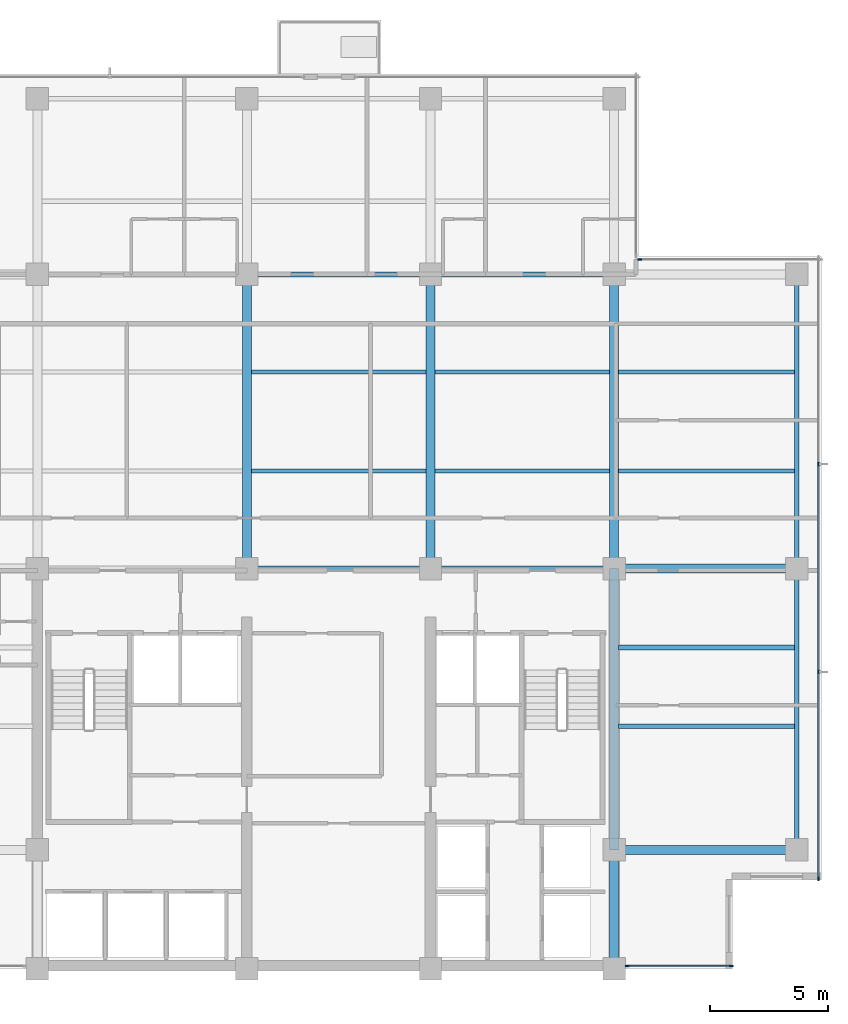
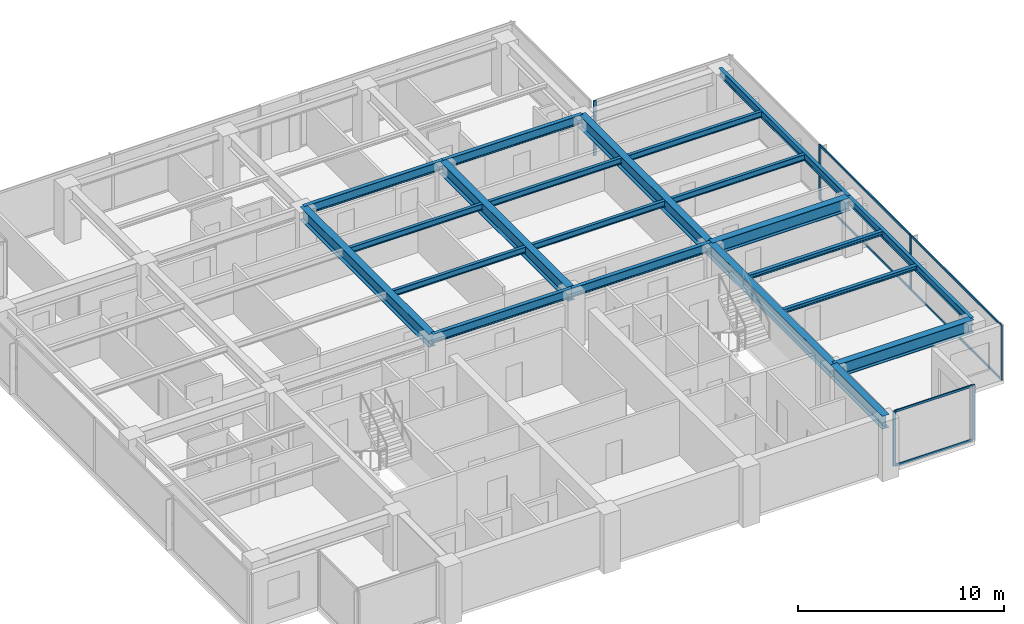
# One storey, part 3 of 15: 21 beams, 12 members, 3 elements without a shape of their own.
"""IFC4 building model written with IfcOpenShell, lengths in metres."""

from ifc_helpers import new_model, si_unit, direction, frame, origin, origin_2d, place, context, subcontext, project, spatial, rectangle, i_section, extrude, material, layer, layer_set, material_profile, profile_set, type_object, element, aggregate, save


model = new_model("IFC4")

# Units and contexts
model_context = context("Model", 3, precision=1e-05, world=origin(), true_north=direction((0.0, 1.0)))
body_context = subcontext(model_context, "Body", "Model", "MODEL_VIEW")
ifc_project = project(units=[si_unit("LENGTHUNIT", "METRE"), si_unit("AREAUNIT", "SQUARE_METRE"), si_unit("VOLUMEUNIT", "CUBIC_METRE"), si_unit("PLANEANGLEUNIT", "RADIAN"), si_unit("MASSUNIT", "GRAM", prefix="KILO")], contexts=[model_context])

# Site, building, storey
site_placement = place(None, origin())
site = spatial("IfcSite", under=ifc_project, at=site_placement, CompositionType="ELEMENT")
building_placement = place(site_placement, origin())
building = spatial("IfcBuilding", under=site, at=building_placement, Name="Qalmaran Belvedere Hotel", CompositionType="ELEMENT")
storey_placement = place(building_placement, frame((0.0, 0.0, 231.89990234375)))
storey = spatial("IfcBuildingStorey", under=building, at=storey_placement, Name="L59", CompositionType="ELEMENT", Elevation=231.89990234375)

# Beams
ifc_material_1 = material(Name="Steel S355JR", Category="steel")
ifc_material_profile_1 = material_profile(ifc_material_1, i_section(OverallWidth=0.201904296875, OverallDepth=0.2470703125, WebThickness=0.00732421875, FlangeThickness=0.010986328125, FilletRadius=0.011962890625, at=origin_2d()), Name="W250X49")
ifc_profile_set_1 = profile_set([ifc_material_profile_1], Name="Steel S355JR")
beam_type_1 = type_object("IfcBeamType", Name="BM-JST-W250X49", PredefinedType="JOIST", material=ifc_profile_set_1)
for number, where, z_axis, x_axis, name in (
    (1, (44.988525390625, 13.800048828125, 3.13671875), (1.0, 0.0, 0.0), (0.0, 1.0, 0.0), "L59 East Wing Joist 039"),
    (2, (44.988525390625, 17.14990234375, 3.13671875), (1.0, 0.0, 0.0), (0.0, 1.0, 0.0), "L59 East Wing Joist 041"),
):
    element("IfcBeam", number, at=place(storey_placement, frame(where, z_axis=z_axis, x_axis=x_axis)), inside=storey, type_object=beam_type_1, Name=name, PredefinedType="JOIST", context=body_context, shape_type="SweptSolid", body=[
        extrude(i_section(OverallWidth=0.201904296875, OverallDepth=0.2470703125, WebThickness=0.00732421875, FlangeThickness=0.010986328125, FilletRadius=0.011962890625, at=origin_2d()), origin(), (0.0, 0.0, 1.0), 7.467529296875),
    ])
ifc_material_profile_2 = material_profile(ifc_material_1, i_section(OverallWidth=0.381103515625, OverallDepth=0.77294921875, WebThickness=0.0166015625, FlangeThickness=0.027099609375, FilletRadius=0.02197265625, at=origin_2d()), Name="W760X257")
ifc_profile_set_2 = profile_set([ifc_material_profile_2], Name="Steel S355JR")
beam_type_2 = type_object("IfcBeamType", Name="BM-PG4-W760X257", PredefinedType="USERDEFINED", material=ifc_profile_set_2)
for number, where, z_axis, x_axis, name in (
    (3, (29.199951171875, 20.5, 2.87353515625), (0.0, 1.0, 0.0), (-1.0, 0.0, 0.0), "L59 Mid-Plate N-S Girder 16"),
    (4, (37.0, 20.5, 2.87353515625), (0.0, 1.0, 0.0), (-1.0, 0.0, 0.0), "L59 Mid-Plate N-S Girder 18"),
    (5, (44.800048828125, 20.5, 2.87353515625), (0.0, 1.0, 0.0), (-1.0, 0.0, 0.0), "L59 Mid-Plate N-S Girder 20"),
):
    element("IfcBeam", number, at=place(storey_placement, frame(where, z_axis=z_axis, x_axis=x_axis)), inside=storey, type_object=beam_type_2, Name=name, ObjectType="GIRDER", PredefinedType="USERDEFINED", context=body_context, shape_type="SweptSolid", body=[
        extrude(i_section(OverallWidth=0.381103515625, OverallDepth=0.77294921875, WebThickness=0.0166015625, FlangeThickness=0.027099609375, FilletRadius=0.02197265625, at=origin_2d()), origin(), (0.0, 0.0, 1.0), 12.5),
    ])
beam_1_placement = place(storey_placement, frame((44.800048828125, 3.5, 2.87353515625), z_axis=(0.0, 1.0, 0.0), x_axis=(-1.0, 0.0, 0.0)))
element("IfcBeam", 6, at=beam_1_placement, inside=storey, type_object=beam_type_2, Name="L59 East Core Edge Girder A", ObjectType="GIRDER", PredefinedType="USERDEFINED", context=body_context, shape_type="SweptSolid", body=[
    extrude(i_section(OverallWidth=0.381103515625, OverallDepth=0.77294921875, WebThickness=0.0166015625, FlangeThickness=0.027099609375, FilletRadius=0.02197265625, at=origin_2d()), origin(), (0.0, 0.0, 1.0), 5.050048828125),
])
beam_2_placement = place(storey_placement, frame((44.800048828125, 8.550048828125, 2.87353515625), z_axis=(0.0, 1.0, 0.0), x_axis=(-1.0, 0.0, 0.0)))
element("IfcBeam", 7, at=beam_2_placement, inside=storey, type_object=beam_type_2, Name="L59 East Core Edge Girder B", ObjectType="GIRDER", PredefinedType="USERDEFINED", context=body_context, shape_type="SweptSolid", body=[
    extrude(i_section(OverallWidth=0.381103515625, OverallDepth=0.77294921875, WebThickness=0.0166015625, FlangeThickness=0.027099609375, FilletRadius=0.02197265625, at=origin_2d()), origin(), (0.0, 0.0, 1.0), 11.949951171875),
])
for number, where, z_axis, x_axis, name in (
    (8, (44.800048828125, 8.550048828125, 2.87353515625), (1.0, 0.0, 0.0), (0.0, 1.0, 0.0), "L59 East Wing Girder 25"),
    (9, (44.800048828125, 20.5, 2.87353515625), (1.0, 0.0, 0.0), (0.0, 1.0, 0.0), "L59 East Wing Girder 26"),
):
    element("IfcBeam", number, at=place(storey_placement, frame(where, z_axis=z_axis, x_axis=x_axis)), inside=storey, type_object=beam_type_2, Name=name, ObjectType="GIRDER", PredefinedType="USERDEFINED", context=body_context, shape_type="SweptSolid", body=[
        extrude(i_section(OverallWidth=0.381103515625, OverallDepth=0.77294921875, WebThickness=0.0166015625, FlangeThickness=0.027099609375, FilletRadius=0.02197265625, at=origin_2d()), origin(), (0.0, 0.0, 1.0), 7.75),
    ])
ifc_material_profile_3 = material_profile(ifc_material_1, i_section(OverallWidth=0.172119140625, OverallDepth=0.35791015625, WebThickness=0.0078125, FlangeThickness=0.01318359375, FilletRadius=0.014892578125, at=origin_2d()), Name="W360X57")
ifc_profile_set_3 = profile_set([ifc_material_profile_3], Name="Steel S355JR")
beam_type_3 = type_object("IfcBeamType", Name="BM-SB4-W360X57", PredefinedType="BEAM", material=ifc_profile_set_3)
for number, where, z_axis, x_axis, name in (
    (10, (29.388427734375, 24.64990234375, 3.0810546875), (1.0, 0.0, 0.0), (0.0, 1.0, 0.0), "L59 Secondary Floor Beam 030"),
    (11, (37.1884765625, 24.64990234375, 3.0810546875), (1.0, 0.0, 0.0), (0.0, 1.0, 0.0), "L59 Secondary Floor Beam 031"),
):
    element("IfcBeam", number, at=place(storey_placement, frame(where, z_axis=z_axis, x_axis=x_axis)), inside=storey, type_object=beam_type_3, Name=name, PredefinedType="BEAM", context=body_context, shape_type="SweptSolid", body=[
        extrude(i_section(OverallWidth=0.172119140625, OverallDepth=0.35791015625, WebThickness=0.0078125, FlangeThickness=0.01318359375, FilletRadius=0.014892578125, at=origin_2d()), origin(), (0.0, 0.0, 1.0), 7.423095703125),
    ])
beam_3_placement = place(storey_placement, frame((44.988525390625, 24.64990234375, 3.0810546875), z_axis=(1.0, 0.0, 0.0), x_axis=(0.0, 1.0, 0.0)))
element("IfcBeam", 12, at=beam_3_placement, inside=storey, type_object=beam_type_3, Name="L59 East Secondary Beam 032", PredefinedType="BEAM", context=body_context, shape_type="SweptSolid", body=[
    extrude(i_section(OverallWidth=0.172119140625, OverallDepth=0.35791015625, WebThickness=0.0078125, FlangeThickness=0.01318359375, FilletRadius=0.014892578125, at=origin_2d()), origin(), (0.0, 0.0, 1.0), 7.467529296875),
])
for number, where, z_axis, x_axis, name in (
    (13, (29.388427734375, 28.85009765625, 3.0810546875), (1.0, 0.0, 0.0), (0.0, 1.0, 0.0), "L59 Secondary Floor Beam 035"),
    (14, (37.1884765625, 28.85009765625, 3.0810546875), (1.0, 0.0, 0.0), (0.0, 1.0, 0.0), "L59 Secondary Floor Beam 036"),
):
    element("IfcBeam", number, at=place(storey_placement, frame(where, z_axis=z_axis, x_axis=x_axis)), inside=storey, type_object=beam_type_3, Name=name, PredefinedType="BEAM", context=body_context, shape_type="SweptSolid", body=[
        extrude(i_section(OverallWidth=0.172119140625, OverallDepth=0.35791015625, WebThickness=0.0078125, FlangeThickness=0.01318359375, FilletRadius=0.014892578125, at=origin_2d()), origin(), (0.0, 0.0, 1.0), 7.423095703125),
    ])
beam_4_placement = place(storey_placement, frame((44.988525390625, 28.85009765625, 3.0810546875), z_axis=(1.0, 0.0, 0.0), x_axis=(0.0, 1.0, 0.0)))
element("IfcBeam", 15, at=beam_4_placement, inside=storey, type_object=beam_type_3, Name="L59 East Secondary Beam 037", PredefinedType="BEAM", context=body_context, shape_type="SweptSolid", body=[
    extrude(i_section(OverallWidth=0.172119140625, OverallDepth=0.35791015625, WebThickness=0.0078125, FlangeThickness=0.01318359375, FilletRadius=0.014892578125, at=origin_2d()), origin(), (0.0, 0.0, 1.0), 7.467529296875),
])
ifc_material_profile_4 = material_profile(ifc_material_1, i_section(OverallWidth=0.19189453125, OverallDepth=0.462890625, WebThickness=0.010498046875, FlangeThickness=0.017578125, FilletRadius=0.01611328125, at=origin_2d()), Name="W460X89")
ifc_profile_set_4 = profile_set([ifc_material_profile_4], Name="Steel S355JR")
beam_type_4 = type_object("IfcBeamType", Name="BM-SP2-W460X89", PredefinedType="SPANDREL", material=ifc_profile_set_4)
beam_5_placement = place(storey_placement, frame((52.550048828125, 8.550048828125, 3.028564453125), z_axis=(0.0, 1.0, 0.0), x_axis=(-1.0, 0.0, 0.0)))
element("IfcBeam", 16, at=beam_5_placement, inside=storey, type_object=beam_type_4, Name="L59 Perimeter Spandrel 03", PredefinedType="SPANDREL", context=body_context, shape_type="SweptSolid", body=[
    extrude(i_section(OverallWidth=0.19189453125, OverallDepth=0.462890625, WebThickness=0.010498046875, FlangeThickness=0.017578125, FilletRadius=0.01611328125, at=origin_2d()), origin(), (0.0, 0.0, 1.0), 11.949951171875),
])
beam_6_placement = place(storey_placement, frame((52.550048828125, 20.5, 3.028564453125), z_axis=(0.0, 1.0, 0.0), x_axis=(-1.0, 0.0, 0.0)))
element("IfcBeam", 17, at=beam_6_placement, inside=storey, type_object=beam_type_4, Name="L59 Perimeter Spandrel 04", PredefinedType="SPANDREL", context=body_context, shape_type="SweptSolid", body=[
    extrude(i_section(OverallWidth=0.19189453125, OverallDepth=0.462890625, WebThickness=0.010498046875, FlangeThickness=0.017578125, FilletRadius=0.01611328125, at=origin_2d()), origin(), (0.0, 0.0, 1.0), 12.5),
])
ifc_material_profile_5 = material_profile(ifc_material_1, i_section(OverallWidth=0.2109375, OverallDepth=0.5390625, WebThickness=0.01171875, FlangeThickness=0.018798828125, FilletRadius=0.01806640625, at=origin_2d()), Name="W530X109")
ifc_profile_set_5 = profile_set([ifc_material_profile_5], Name="Steel S355JR")
beam_type_5 = type_object("IfcBeamType", Name="BM-Z4-W530X109", PredefinedType="USERDEFINED", material=ifc_profile_set_5)
for number, where, z_axis, x_axis, name in (
    (18, (29.199951171875, 20.5, 2.990478515625), (1.0, 0.0, 0.0), (0.0, 1.0, 0.0), "L59 Interior E-W Girder 09"),
    (19, (37.0, 20.5, 2.990478515625), (1.0, 0.0, 0.0), (0.0, 1.0, 0.0), "L59 Interior E-W Girder 10"),
    (20, (29.199951171875, 33.0, 2.990478515625), (1.0, 0.0, 0.0), (0.0, 1.0, 0.0), "L59 Interior E-W Girder 12"),
    (21, (37.0, 33.0, 2.990478515625), (1.0, 0.0, 0.0), (0.0, 1.0, 0.0), "L59 Interior E-W Girder 13"),
):
    element("IfcBeam", number, at=place(storey_placement, frame(where, z_axis=z_axis, x_axis=x_axis)), inside=storey, type_object=beam_type_5, Name=name, ObjectType="GIRDER", PredefinedType="USERDEFINED", context=body_context, shape_type="SweptSolid", body=[
        extrude(i_section(OverallWidth=0.2109375, OverallDepth=0.5390625, WebThickness=0.01171875, FlangeThickness=0.018798828125, FilletRadius=0.01806640625, at=origin_2d()), origin(), (0.0, 0.0, 1.0), 7.800048828125),
    ])

# Curtain wall, members
ifc_material_2 = material(Name="Anodised Bronze Aluminium", Category="aluminium")
ifc_layer = layer(ifc_material_2, 0.18994140625, Name="Anodised Bronze Aluminium")
ifc_layer_set = layer_set([ifc_layer], Name="Anodised Bronze Aluminium")
curtain_wall_type = type_object("IfcCurtainWallType", Name="CW5-TOWER-UPPER", PredefinedType="NOTDEFINED", material=ifc_layer_set)
curtain_wall_1_placement = place(storey_placement, origin())
curtain_wall_1 = element("IfcCurtainWall", 22, at=curtain_wall_1_placement, inside=storey, type_object=curtain_wall_type, Name="L59 Curtain Wall CW5", PredefinedType="NOTDEFINED")
ifc_material_profile_6 = material_profile(ifc_material_2, rectangle(XDim=0.06494140625, YDim=0.1650390625, at=origin_2d()), Name="CWM65X165")
ifc_profile_set_6 = profile_set([ifc_material_profile_6], Name="Anodised Bronze Aluminium")
member_type_1 = type_object("IfcMemberType", Name="CWM-65X165", PredefinedType="MULLION", material=ifc_profile_set_6)
member_1_placement = place(storey_placement, frame((45.347412109375, 3.6201171875, 0.0), z_axis=(0.0, 0.0, 1.0), x_axis=(0.0, 1.0, 0.0)))
member_1 = element("IfcMember", 23, at=member_1_placement, type_object=member_type_1, Name="CW5 mullion 1", PredefinedType="MULLION", context=body_context, shape_type="SweptSolid", body=[
    extrude(rectangle(XDim=0.06494140625, YDim=0.1650390625, at=origin_2d()), origin(), (0.0, 0.0, 1.0), 3.260009765625),
])
member_2_placement = place(storey_placement, frame((49.767578125, 3.6201171875, 0.0), z_axis=(0.0, 0.0, 1.0), x_axis=(0.0, 1.0, 0.0)))
member_2 = element("IfcMember", 24, at=member_2_placement, type_object=member_type_1, Name="CW5 mullion 2", PredefinedType="MULLION", context=body_context, shape_type="SweptSolid", body=[
    extrude(rectangle(XDim=0.06494140625, YDim=0.1650390625, at=origin_2d()), origin(), (0.0, 0.0, 1.0), 3.260009765625),
])

curtain_wall_2_placement = place(storey_placement, origin())
curtain_wall_2 = element("IfcCurtainWall", 25, at=curtain_wall_2_placement, inside=storey, type_object=curtain_wall_type, Name="L59 Curtain Wall CW5", PredefinedType="NOTDEFINED")
member_3_placement = place(storey_placement, frame((53.47998046875, 7.33251953125, 0.0), z_axis=(0.0, 0.0, 1.0), x_axis=(-1.0, 0.0, 0.0)))
member_3 = element("IfcMember", 26, at=member_3_placement, type_object=member_type_1, Name="CW5 mullion 1", PredefinedType="MULLION", context=body_context, shape_type="SweptSolid", body=[
    extrude(rectangle(XDim=0.06494140625, YDim=0.1650390625, at=origin_2d()), origin(), (0.0, 0.0, 1.0), 3.260009765625),
])
member_4_placement = place(storey_placement, frame((53.47998046875, 16.11669921875, 0.0), z_axis=(0.0, 0.0, 1.0), x_axis=(-1.0, 0.0, 0.0)))
member_4 = element("IfcMember", 27, at=member_4_placement, type_object=member_type_1, Name="CW5 mullion 2", PredefinedType="MULLION", context=body_context, shape_type="SweptSolid", body=[
    extrude(rectangle(XDim=0.06494140625, YDim=0.1650390625, at=origin_2d()), origin(), (0.0, 0.0, 1.0), 3.260009765625),
])
member_5_placement = place(storey_placement, frame((53.47998046875, 24.933349609375, 0.0), z_axis=(0.0, 0.0, 1.0), x_axis=(-1.0, 0.0, 0.0)))
member_5 = element("IfcMember", 28, at=member_5_placement, type_object=member_type_1, Name="CW5 mullion 3", PredefinedType="MULLION", context=body_context, shape_type="SweptSolid", body=[
    extrude(rectangle(XDim=0.06494140625, YDim=0.1650390625, at=origin_2d()), origin(), (0.0, 0.0, 1.0), 3.260009765625),
])

# Curtain wall, member
curtain_wall_3_placement = place(storey_placement, origin())
curtain_wall_3 = element("IfcCurtainWall", 29, at=curtain_wall_3_placement, inside=storey, type_object=curtain_wall_type, Name="L59 Curtain Wall CW5", PredefinedType="NOTDEFINED")
member_6_placement = place(storey_placement, frame((45.882568359375, 33.6298828125, 0.0), z_axis=(0.0, 0.0, 1.0), x_axis=(0.0, -1.0, 0.0)))
member_6 = element("IfcMember", 30, at=member_6_placement, type_object=member_type_1, Name="CW5 mullion 2", PredefinedType="MULLION", context=body_context, shape_type="SweptSolid", body=[
    extrude(rectangle(XDim=0.06494140625, YDim=0.1650390625, at=origin_2d()), origin(), (0.0, 0.0, 1.0), 3.260009765625),
])
aggregate(curtain_wall_3, [member_6])

# Member
ifc_material_profile_7 = material_profile(ifc_material_2, rectangle(XDim=0.06494140625, YDim=0.1298828125, at=origin_2d()), Name="CWT65X130")
ifc_profile_set_7 = profile_set([ifc_material_profile_7], Name="Anodised Bronze Aluminium")
member_type_2 = type_object("IfcMemberType", Name="CWT-65X130", PredefinedType="USERDEFINED", material=ifc_profile_set_7)
member_7_placement = place(storey_placement, frame((45.3798828125, 3.6201171875, 0.03271484375), z_axis=(1.0, 0.0, 0.0), x_axis=(0.0, 1.0, 0.0)))
member_7 = element("IfcMember", 31, at=member_7_placement, type_object=member_type_2, Name="CW5 transom 1.1", ObjectType="TRANSOM", PredefinedType="USERDEFINED", context=body_context, shape_type="SweptSolid", body=[
    extrude(rectangle(XDim=0.06494140625, YDim=0.1298828125, at=origin_2d()), origin(), (0.0, 0.0, 1.0), 4.355224609375),
])

member_8_placement = place(storey_placement, frame((45.3798828125, 3.6201171875, 3.2275390625), z_axis=(1.0, 0.0, 0.0), x_axis=(0.0, 1.0, 0.0)))
member_8 = element("IfcMember", 32, at=member_8_placement, type_object=member_type_2, Name="CW5 transom 1.2", ObjectType="TRANSOM", PredefinedType="USERDEFINED", context=body_context, shape_type="SweptSolid", body=[
    extrude(rectangle(XDim=0.06494140625, YDim=0.1298828125, at=origin_2d()), origin(), (0.0, 0.0, 1.0), 4.355224609375),
])

aggregate(curtain_wall_1, [member_1, member_2, member_7, member_8])

member_9_placement = place(storey_placement, frame((53.47998046875, 7.364990234375, 0.03271484375), z_axis=(0.0, 1.0, 0.0), x_axis=(-1.0, 0.0, 0.0)))
member_9 = element("IfcMember", 33, at=member_9_placement, type_object=member_type_2, Name="CW5 transom 1.1", ObjectType="TRANSOM", PredefinedType="USERDEFINED", context=body_context, shape_type="SweptSolid", body=[
    extrude(rectangle(XDim=0.06494140625, YDim=0.1298828125, at=origin_2d()), origin(), (0.0, 0.0, 1.0), 8.71923828125),
])

member_10_placement = place(storey_placement, frame((53.47998046875, 7.364990234375, 3.2275390625), z_axis=(0.0, 1.0, 0.0), x_axis=(-1.0, 0.0, 0.0)))
member_10 = element("IfcMember", 34, at=member_10_placement, type_object=member_type_2, Name="CW5 transom 1.2", ObjectType="TRANSOM", PredefinedType="USERDEFINED", context=body_context, shape_type="SweptSolid", body=[
    extrude(rectangle(XDim=0.06494140625, YDim=0.1298828125, at=origin_2d()), origin(), (0.0, 0.0, 1.0), 8.71923828125),
])

member_11_placement = place(storey_placement, frame((53.47998046875, 16.149169921875, 0.03271484375), z_axis=(0.0, 1.0, 0.0), x_axis=(-1.0, 0.0, 0.0)))
member_11 = element("IfcMember", 35, at=member_11_placement, type_object=member_type_2, Name="CW5 transom 2.1", ObjectType="TRANSOM", PredefinedType="USERDEFINED", context=body_context, shape_type="SweptSolid", body=[
    extrude(rectangle(XDim=0.06494140625, YDim=0.1298828125, at=origin_2d()), origin(), (0.0, 0.0, 1.0), 8.751708984375),
])

member_12_placement = place(storey_placement, frame((53.47998046875, 16.149169921875, 3.2275390625), z_axis=(0.0, 1.0, 0.0), x_axis=(-1.0, 0.0, 0.0)))
member_12 = element("IfcMember", 36, at=member_12_placement, type_object=member_type_2, Name="CW5 transom 2.2", ObjectType="TRANSOM", PredefinedType="USERDEFINED", context=body_context, shape_type="SweptSolid", body=[
    extrude(rectangle(XDim=0.06494140625, YDim=0.1298828125, at=origin_2d()), origin(), (0.0, 0.0, 1.0), 8.751708984375),
])

aggregate(curtain_wall_2, [member_3, member_4, member_5, member_9, member_10, member_11, member_12])

save(model, "model.ifc")
